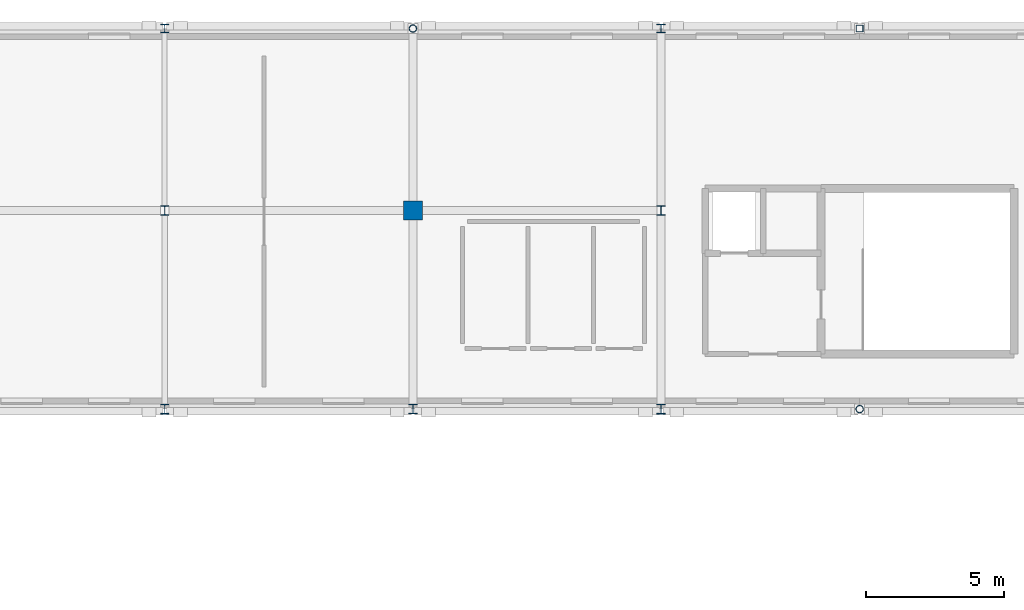
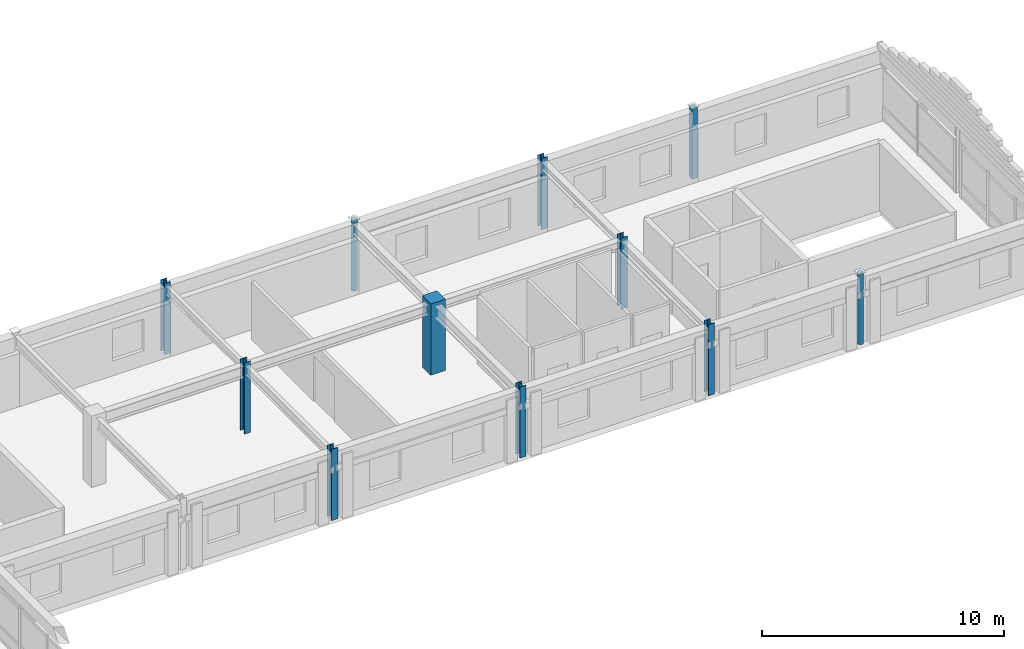
# One storey, part 5 of 52: 11 columns.
"""IFC4 building model written with IfcOpenShell, lengths in metres."""

from ifc_helpers import new_model, si_unit, direction, frame, origin, origin_2d, place, context, subcontext, project, spatial, rectangle, hollow_rectangle, hollow_circle, i_section, extrude, material, material_profile, profile_set, type_object, element, save


model = new_model("IFC4")

# Units and contexts
model_context = context("Model", 3, precision=1e-05, world=origin(), true_north=direction((0.0, 1.0)))
body_context = subcontext(model_context, "Body", "Model", "MODEL_VIEW")
ifc_project = project(units=[si_unit("LENGTHUNIT", "METRE"), si_unit("AREAUNIT", "SQUARE_METRE"), si_unit("VOLUMEUNIT", "CUBIC_METRE"), si_unit("PLANEANGLEUNIT", "RADIAN"), si_unit("MASSUNIT", "GRAM", prefix="KILO")], contexts=[model_context])

# Site, building, storey
site_placement = place(None, origin())
site = spatial("IfcSite", under=ifc_project, at=site_placement, CompositionType="ELEMENT")
building_placement = place(site_placement, origin())
building = spatial("IfcBuilding", under=site, at=building_placement, Name="Clarverna Civic Hall", CompositionType="ELEMENT")
storey_placement = place(building_placement, frame((0.0, 0.0, 16.800048828125)))
storey = spatial("IfcBuildingStorey", under=building, at=storey_placement, Name="L04", CompositionType="ELEMENT", Elevation=16.800048828125)

# Columns
ifc_material_1 = material(Name="Concrete C35/45", Category="concrete")
ifc_material_profile_1 = material_profile(ifc_material_1, rectangle(XDim=0.699951171875, YDim=0.699951171875, at=origin_2d()), Name="RC 700x700")
ifc_profile_set_1 = profile_set([ifc_material_profile_1], Name="Concrete C35/45")
column_type_1 = type_object("IfcColumnType", Name="C-RC8", PredefinedType="COLUMN", material=ifc_profile_set_1)
column_1_placement = place(storey_placement, frame((41.39990234375, 109.39990234375, 0.0), z_axis=(0.0, 0.0, 1.0), x_axis=(1.0, 0.0, 0.0)))
element("IfcColumn", 1, at=column_1_placement, inside=storey, type_object=column_type_1, Name="C-RC8-025", PredefinedType="COLUMN", context=body_context, shape_type="SweptSolid", body=[
    extrude(rectangle(XDim=0.699951171875, YDim=0.699951171875, at=origin_2d()), origin(), (0.0, 0.0, 1.0), 3.599853515625),
])
ifc_material_2 = material(Name="Steel S355", Category="steel")
ifc_material_profile_2 = material_profile(ifc_material_2, i_section(OverallWidth=0.300048828125, OverallDepth=0.35009765625, WebThickness=0.010009765625, FlangeThickness=0.017578125, FilletRadius=0.027099609375, at=origin_2d()), Name="HEA 360")
ifc_profile_set_2 = profile_set([ifc_material_profile_2], Name="Steel S355")
column_type_2 = type_object("IfcColumnType", Name="C-ST11", PredefinedType="COLUMN", material=ifc_profile_set_2)
column_2_placement = place(storey_placement, frame((41.39990234375, 102.199951171875, 0.0), z_axis=(0.0, 0.0, 1.0), x_axis=(1.0, 0.0, 0.0)))
element("IfcColumn", 2, at=column_2_placement, inside=storey, type_object=column_type_2, Name="C-ST11-004", PredefinedType="COLUMN", context=body_context, shape_type="SweptSolid", body=[
    extrude(i_section(OverallWidth=0.300048828125, OverallDepth=0.35009765625, WebThickness=0.010009765625, FlangeThickness=0.017578125, FilletRadius=0.027099609375, at=origin_2d()), origin(), (0.0, 0.0, 1.0), 3.599853515625),
])
ifc_material_profile_3 = material_profile(ifc_material_2, hollow_circle(Radius=0.136474609375, WallThickness=0.012451171875, at=origin_2d()), Name="CHS 273.0x12.5")
ifc_profile_set_3 = profile_set([ifc_material_profile_3], Name="Steel S355")
column_type_3 = type_object("IfcColumnType", Name="C-ST14", PredefinedType="COLUMN", material=ifc_profile_set_3)
for number, where, z_axis, x_axis, name in (
    (3, (41.39990234375, 116.0, 0.0), (0.0, 0.0, 1.0), (1.0, 0.0, 0.0), "C-ST14-004"),
    (4, (57.60009765625, 102.199951171875, 0.0), (0.0, 0.0, 1.0), (1.0, 0.0, 0.0), "C-ST14-005"),
):
    element("IfcColumn", number, at=place(storey_placement, frame(where, z_axis=z_axis, x_axis=x_axis)), inside=storey, type_object=column_type_3, Name=name, PredefinedType="COLUMN", context=body_context, shape_type="SweptSolid", body=[
        extrude(hollow_circle(Radius=0.136474609375, WallThickness=0.012451171875, at=origin_2d()), origin(), (0.0, 0.0, 1.0), 3.599853515625),
    ])
ifc_material_profile_4 = material_profile(ifc_material_2, hollow_rectangle(XDim=0.25, YDim=0.25, WallThickness=0.010009765625, at=origin_2d()), Name="RHS 250x250x10.0")
ifc_profile_set_4 = profile_set([ifc_material_profile_4], Name="Steel S355")
column_type_4 = type_object("IfcColumnType", Name="C-ST17", PredefinedType="COLUMN", material=ifc_profile_set_4)
column_3_placement = place(storey_placement, frame((57.60009765625, 116.0, 0.0), z_axis=(0.0, 0.0, 1.0), x_axis=(1.0, 0.0, 0.0)))
element("IfcColumn", 5, at=column_3_placement, inside=storey, type_object=column_type_4, Name="C-ST17-005", PredefinedType="COLUMN", context=body_context, shape_type="SweptSolid", body=[
    extrude(hollow_rectangle(XDim=0.25, YDim=0.25, WallThickness=0.010009765625, at=origin_2d()), origin(), (0.0, 0.0, 1.0), 3.599853515625),
])
ifc_material_profile_5 = material_profile(ifc_material_2, i_section(OverallWidth=0.300048828125, OverallDepth=0.360107421875, WebThickness=0.012451171875, FlangeThickness=0.0224609375, FilletRadius=0.027099609375, at=origin_2d()), Name="HEB 360")
ifc_profile_set_5 = profile_set([ifc_material_profile_5], Name="Steel S355")
column_type_5 = type_object("IfcColumnType", Name="C-ST4", PredefinedType="COLUMN", material=ifc_profile_set_5)
for number, where, z_axis, x_axis, name in (
    (6, (32.39990234375, 102.199951171875, 0.0), (0.0, 0.0, 1.0), (1.0, 0.0, 0.0), "C-ST4-004"),
    (7, (50.39990234375, 102.199951171875, 0.0), (0.0, 0.0, 1.0), (1.0, 0.0, 0.0), "C-ST4-005"),
):
    element("IfcColumn", number, at=place(storey_placement, frame(where, z_axis=z_axis, x_axis=x_axis)), inside=storey, type_object=column_type_5, Name=name, PredefinedType="COLUMN", context=body_context, shape_type="SweptSolid", body=[
        extrude(i_section(OverallWidth=0.300048828125, OverallDepth=0.360107421875, WebThickness=0.012451171875, FlangeThickness=0.0224609375, FilletRadius=0.027099609375, at=origin_2d()), origin(), (0.0, 0.0, 1.0), 3.599853515625),
    ])
ifc_material_profile_6 = material_profile(ifc_material_2, i_section(OverallWidth=0.300048828125, OverallDepth=0.340087890625, WebThickness=0.011962890625, FlangeThickness=0.021484375, FilletRadius=0.027099609375, at=origin_2d()), Name="HEB 340")
ifc_profile_set_6 = profile_set([ifc_material_profile_6], Name="Steel S355")
column_type_6 = type_object("IfcColumnType", Name="C-ST5", PredefinedType="COLUMN", material=ifc_profile_set_6)
for number, where, z_axis, x_axis, name in (
    (8, (32.39990234375, 109.39990234375, 0.0), (0.0, 0.0, 1.0), (1.0, 0.0, 0.0), "C-ST5-005"),
    (9, (50.39990234375, 109.39990234375, 0.0), (0.0, 0.0, 1.0), (1.0, 0.0, 0.0), "C-ST5-006"),
):
    element("IfcColumn", number, at=place(storey_placement, frame(where, z_axis=z_axis, x_axis=x_axis)), inside=storey, type_object=column_type_6, Name=name, PredefinedType="COLUMN", context=body_context, shape_type="SweptSolid", body=[
        extrude(i_section(OverallWidth=0.300048828125, OverallDepth=0.340087890625, WebThickness=0.011962890625, FlangeThickness=0.021484375, FilletRadius=0.027099609375, at=origin_2d()), origin(), (0.0, 0.0, 1.0), 3.599853515625),
    ])
ifc_material_profile_7 = material_profile(ifc_material_2, i_section(OverallWidth=0.300048828125, OverallDepth=0.320068359375, WebThickness=0.011474609375, FlangeThickness=0.0205078125, FilletRadius=0.027099609375, at=origin_2d()), Name="HEB 320")
ifc_profile_set_7 = profile_set([ifc_material_profile_7], Name="Steel S355")
column_type_7 = type_object("IfcColumnType", Name="C-ST6", PredefinedType="COLUMN", material=ifc_profile_set_7)
for number, where, z_axis, x_axis, name in (
    (10, (32.39990234375, 116.0, 0.0), (0.0, 0.0, 1.0), (1.0, 0.0, 0.0), "C-ST6-004"),
    (11, (50.39990234375, 116.0, 0.0), (0.0, 0.0, 1.0), (1.0, 0.0, 0.0), "C-ST6-005"),
):
    element("IfcColumn", number, at=place(storey_placement, frame(where, z_axis=z_axis, x_axis=x_axis)), inside=storey, type_object=column_type_7, Name=name, PredefinedType="COLUMN", context=body_context, shape_type="SweptSolid", body=[
        extrude(i_section(OverallWidth=0.300048828125, OverallDepth=0.320068359375, WebThickness=0.011474609375, FlangeThickness=0.0205078125, FilletRadius=0.027099609375, at=origin_2d()), origin(), (0.0, 0.0, 1.0), 3.599853515625),
    ])

save(model, "model.ifc")
